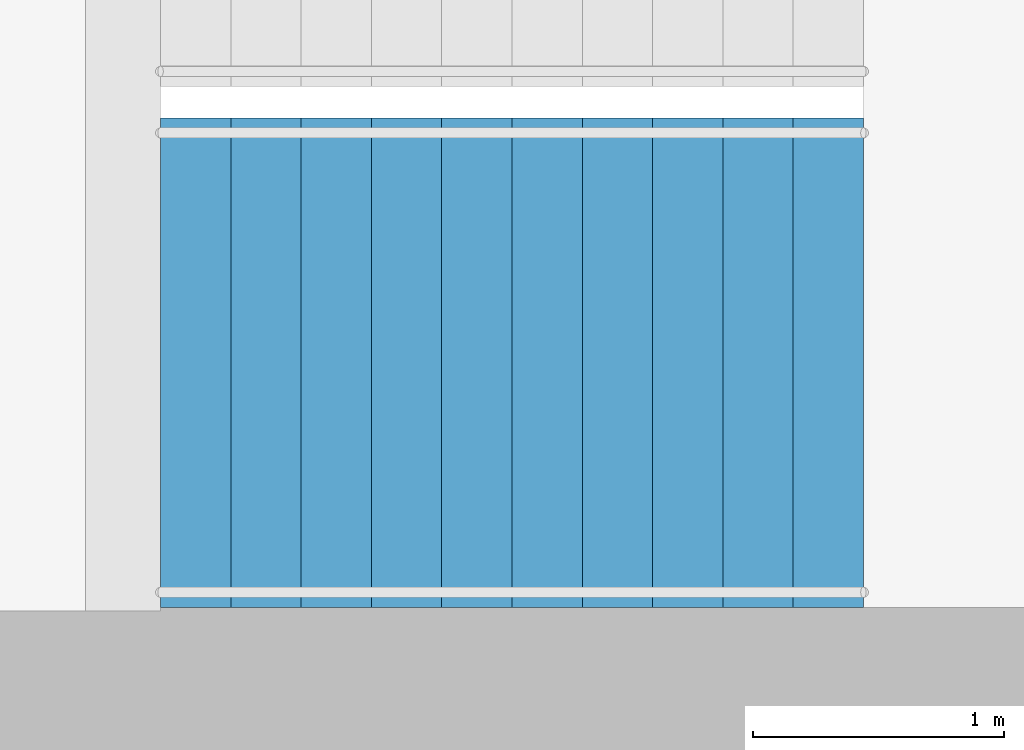
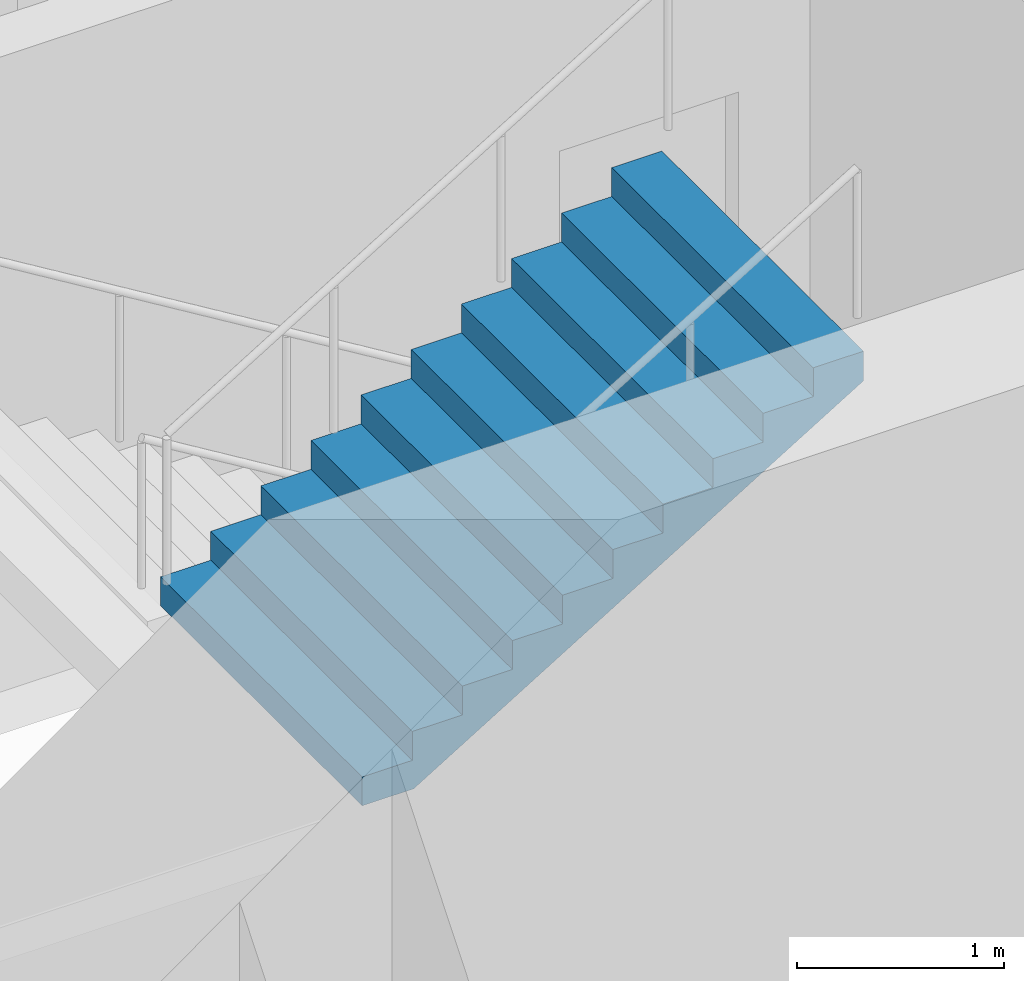
# One storey, part 20 of 22: 1 stair flight, 1 element without a shape of its own.
"""IFC4 building model written with IfcOpenShell, lengths in metres."""

from ifc_helpers import new_model, si_unit, direction, frame, origin, place, context, subcontext, project, spatial, triangles, material, type_object, element, aggregate, save


model = new_model("IFC4")

# Units and contexts
model_context = context("Model", 3, precision=1e-05, world=origin(), true_north=direction((0.0, 1.0)))
body_context = subcontext(model_context, "Body", "Model", "MODEL_VIEW")
ifc_project = project(units=[si_unit("LENGTHUNIT", "METRE"), si_unit("AREAUNIT", "SQUARE_METRE"), si_unit("VOLUMEUNIT", "CUBIC_METRE"), si_unit("PLANEANGLEUNIT", "RADIAN"), si_unit("MASSUNIT", "GRAM", prefix="KILO")], contexts=[model_context])

# Site, building, storey
site_placement = place(None, origin())
site = spatial("IfcSite", under=ifc_project, at=site_placement, CompositionType="ELEMENT")
building_placement = place(site_placement, origin())
building = spatial("IfcBuilding", under=site, at=building_placement, Name="Orbita Commons", CompositionType="ELEMENT")
storey_placement = place(building_placement, frame((0.0, 0.0, 197.35009765625)))
storey = spatial("IfcBuildingStorey", under=building, at=storey_placement, Name="L49", CompositionType="ELEMENT", Elevation=197.35009765625)

# Stair, stair flight
ifc_material_1 = material(Name="Precast concrete C40/50", Category="concrete")
stair_type = type_object("IfcStairType", Name="Exit stair S2 2 flights 11 risers 170", PredefinedType="HALF_TURN_STAIR", material=ifc_material_1)
stair_placement = place(storey_placement, origin())
stair = element("IfcStair", 1, at=stair_placement, inside=storey, type_object=stair_type, Name="Exit stair S2 L49", PredefinedType="HALF_TURN_STAIR")
ifc_material_2 = material(Name="Precast concrete C40/50", Category="concrete")
stair_flight_type = type_object("IfcStairFlightType", Name="Stair flight 11 risers 170 x 280", PredefinedType="STRAIGHT", material=ifc_material_2)
stair_flight_placement = place(storey_placement, frame((60.75, 27.199951171875, 1.875), z_axis=(0.0, 0.0, 1.0), x_axis=(1.0, 0.0, 0.0)))
stair_flight = element("IfcStairFlight", 2, at=stair_flight_placement, type_object=stair_flight_type, Name="S2 flight 2", NumberOfRisers=11, NumberOfTreads=10, PredefinedType="STRAIGHT", RiserHeight=0.170454545, TreadLength=0.28, context=body_context, shape_type="Tessellation", body=[
    triangles([(0.0, 0.974976, 0.0), (0.0, 0.974976, 0.021307), (0.0, 0.81248, 0.021307), (0.0, 0.81248, 0.0), (0.0, 0.649984, 0.021307), (0.0, 0.649984, 0.0), (0.0, 0.487488, 0.021307), (0.0, 0.487488, 0.0), (0.0, 0.324992, 0.021307), (0.0, 0.324992, 0.0), (0.0, 0.162496, 0.021307), (0.0, 0.162496, 0.0), (0.0, 0.0, 0.021307), (0.0, 0.0, 0.0), (0.0, -0.162496, 0.021307), (0.0, -0.162496, 0.0), (0.0, -0.324992, 0.021307), (0.0, -0.324992, 0.0), (0.0, -0.487488, 0.021307), (0.0, -0.487488, 0.0), (0.0, -0.649984, 0.021307), (0.0, -0.649984, 0.0), (0.0, -0.81248, 0.021307), (0.0, -0.81248, 0.0), (0.0, -0.974976, 0.021307), (0.0, -0.974976, 0.0), (0.0, 0.974976, 0.042614), (0.0, 0.81248, 0.042614), (0.0, 0.649984, 0.042614), (0.0, 0.487488, 0.042614), (0.0, 0.324992, 0.042614), (0.0, 0.162496, 0.042614), (0.0, 0.0, 0.042614), (0.0, -0.162496, 0.042614), (0.0, -0.324992, 0.042614), (0.0, -0.487488, 0.042614), (0.0, -0.649984, 0.042614), (0.0, -0.81248, 0.042614), (0.0, -0.974976, 0.042614), (0.0, 0.974976, 0.06392), (0.0, 0.81248, 0.06392), (0.0, 0.649984, 0.06392), (0.0, 0.487488, 0.06392), (0.0, 0.324992, 0.06392), (0.0, 0.162496, 0.06392), (0.0, 0.0, 0.06392), (0.0, -0.162496, 0.06392), (0.0, -0.324992, 0.06392), (0.0, -0.487488, 0.06392), (0.0, -0.649984, 0.06392), (0.0, -0.81248, 0.06392), (0.0, -0.974976, 0.06392), (0.0, 0.974976, 0.085227), (0.0, 0.81248, 0.085227), (0.0, 0.649984, 0.085227), (0.0, 0.487488, 0.085227), (0.0, 0.324992, 0.085227), (0.0, 0.162496, 0.085227), (0.0, 0.0, 0.085227), (0.0, -0.162496, 0.085227), (0.0, -0.324992, 0.085227), (0.0, -0.487488, 0.085227), (0.0, -0.649984, 0.085227), (0.0, -0.81248, 0.085227), (0.0, -0.974976, 0.085227), (0.0, 0.974976, 0.106534), (0.0, 0.81248, 0.106534), (0.0, 0.649984, 0.106534), (0.0, 0.487488, 0.106534), (0.0, 0.324992, 0.106534), (0.0, 0.162496, 0.106534), (0.0, 0.0, 0.106534), (0.0, -0.162496, 0.106534), (0.0, -0.324992, 0.106534), (0.0, -0.487488, 0.106534), (0.0, -0.649984, 0.106534), (0.0, -0.81248, 0.106534), (0.0, -0.974976, 0.106534), (0.0, 0.974976, 0.127841), (0.0, 0.81248, 0.127841), (0.0, 0.649984, 0.127841), (0.0, 0.487488, 0.127841), (0.0, 0.324992, 0.127841), (0.0, 0.162496, 0.127841), (0.0, 0.0, 0.127841), (0.0, -0.162496, 0.127841), (0.0, -0.324992, 0.127841), (0.0, -0.487488, 0.127841), (0.0, -0.649984, 0.127841), (0.0, -0.81248, 0.127841), (0.0, -0.974976, 0.127841), (0.0, 0.974976, 0.149148), (0.0, 0.81248, 0.149148), (0.0, 0.649984, 0.149148), (0.0, 0.487488, 0.149148), (0.0, 0.324992, 0.149148), (0.0, 0.162496, 0.149148), (0.0, 0.0, 0.149148), (0.0, -0.162496, 0.149148), (0.0, -0.324992, 0.149148), (0.0, -0.487488, 0.149148), (0.0, -0.649984, 0.149148), (0.0, -0.81248, 0.149148), (0.0, -0.974976, 0.149148), (0.0, 0.974976, 0.170455), (0.0, 0.81248, 0.170455), (0.0, 0.649984, 0.170455), (0.0, 0.487488, 0.170455), (0.0, 0.324992, 0.170455), (0.0, 0.162496, 0.170455), (0.0, 0.0, 0.170455), (0.0, -0.162496, 0.170455), (0.0, -0.324992, 0.170455), (0.0, -0.487488, 0.170455), (0.0, -0.649984, 0.170455), (0.0, -0.81248, 0.170455), (0.0, -0.974976, 0.170455), (0.28, 0.974976, 0.170455), (0.28, 0.81248, 0.170455), (0.28, 0.649984, 0.170455), (0.28, 0.487488, 0.170455), (0.28, 0.324992, 0.170455), (0.28, 0.162496, 0.170455), (0.28, 0.0, 0.170455), (0.28, -0.162496, 0.170455), (0.28, -0.324992, 0.170455), (0.28, -0.487488, 0.170455), (0.28, -0.649984, 0.170455), (0.28, -0.81248, 0.170455), (0.28, -0.974976, 0.170455), (0.28, 0.974976, 0.340909), (0.28, 0.81248, 0.340909), (0.28, 0.649984, 0.340909), (0.28, 0.487488, 0.340909), (0.28, 0.324992, 0.340909), (0.28, 0.162496, 0.340909), (0.28, 0.0, 0.340909), (0.28, -0.162496, 0.340909), (0.28, -0.324992, 0.340909), (0.28, -0.487488, 0.340909), (0.28, -0.649984, 0.340909), (0.28, -0.81248, 0.340909), (0.28, -0.974976, 0.340909), (0.56, 0.974976, 0.340909), (0.56, 0.81248, 0.340909), (0.56, 0.649984, 0.340909), (0.56, 0.487488, 0.340909), (0.56, 0.324992, 0.340909), (0.56, 0.162496, 0.340909), (0.56, 0.0, 0.340909), (0.56, -0.162496, 0.340909), (0.56, -0.324992, 0.340909), (0.56, -0.487488, 0.340909), (0.56, -0.649984, 0.340909), (0.56, -0.81248, 0.340909), (0.56, -0.974976, 0.340909), (0.56, 0.974976, 0.511364), (0.56, 0.81248, 0.511364), (0.56, 0.649984, 0.511364), (0.56, 0.487488, 0.511364), (0.56, 0.324992, 0.511364), (0.56, 0.162496, 0.511364), (0.56, 0.0, 0.511364), (0.56, -0.162496, 0.511364), (0.56, -0.324992, 0.511364), (0.56, -0.487488, 0.511364), (0.56, -0.649984, 0.511364), (0.56, -0.81248, 0.511364), (0.56, -0.974976, 0.511364), (0.84, 0.974976, 0.511364), (0.84, 0.81248, 0.511364), (0.84, 0.649984, 0.511364), (0.84, 0.487488, 0.511364), (0.84, 0.324992, 0.511364), (0.84, 0.162496, 0.511364), (0.84, 0.0, 0.511364), (0.84, -0.162496, 0.511364), (0.84, -0.324992, 0.511364), (0.84, -0.487488, 0.511364), (0.84, -0.649984, 0.511364), (0.84, -0.81248, 0.511364), (0.84, -0.974976, 0.511364), (0.84, 0.974976, 0.681818), (0.84, 0.81248, 0.681818), (0.84, 0.649984, 0.681818), (0.84, 0.487488, 0.681818), (0.84, 0.324992, 0.681818), (0.84, 0.162496, 0.681818), (0.84, 0.0, 0.681818), (0.84, -0.162496, 0.681818), (0.84, -0.324992, 0.681818), (0.84, -0.487488, 0.681818), (0.84, -0.649984, 0.681818), (0.84, -0.81248, 0.681818), (0.84, -0.974976, 0.681818), (1.12, 0.974976, 0.681818), (1.12, 0.81248, 0.681818), (1.12, 0.649984, 0.681818), (1.12, 0.487488, 0.681818), (1.12, 0.324992, 0.681818), (1.12, 0.162496, 0.681818), (1.12, 0.0, 0.681818), (1.12, -0.162496, 0.681818), (1.12, -0.324992, 0.681818), (1.12, -0.487488, 0.681818), (1.12, -0.649984, 0.681818), (1.12, -0.81248, 0.681818), (1.12, -0.974976, 0.681818), (1.12, 0.974976, 0.852273), (1.12, 0.81248, 0.852273), (1.12, 0.649984, 0.852273), (1.12, 0.487488, 0.852273), (1.12, 0.324992, 0.852273), (1.12, 0.162496, 0.852273), (1.12, 0.0, 0.852273), (1.12, -0.162496, 0.852273), (1.12, -0.324992, 0.852273), (1.12, -0.487488, 0.852273), (1.12, -0.649984, 0.852273), (1.12, -0.81248, 0.852273), (1.12, -0.974976, 0.852273), (1.4, 0.974976, 0.852273), (1.4, 0.81248, 0.852273), (1.4, 0.649984, 0.852273), (1.4, 0.487488, 0.852273), (1.4, 0.324992, 0.852273), (1.4, 0.162496, 0.852273), (1.4, 0.0, 0.852273), (1.4, -0.162496, 0.852273), (1.4, -0.324992, 0.852273), (1.4, -0.487488, 0.852273), (1.4, -0.649984, 0.852273), (1.4, -0.81248, 0.852273), (1.4, -0.974976, 0.852273), (1.4, 0.974976, 1.022727), (1.4, 0.81248, 1.022727), (1.4, 0.649984, 1.022727), (1.4, 0.487488, 1.022727), (1.4, 0.324992, 1.022727), (1.4, 0.162496, 1.022727), (1.4, 0.0, 1.022727), (1.4, -0.162496, 1.022727), (1.4, -0.324992, 1.022727), (1.4, -0.487488, 1.022727), (1.4, -0.649984, 1.022727), (1.4, -0.81248, 1.022727), (1.4, -0.974976, 1.022727), (1.68, 0.974976, 1.022727), (1.68, 0.81248, 1.022727), (1.68, 0.649984, 1.022727), (1.68, 0.487488, 1.022727), (1.68, 0.324992, 1.022727), (1.68, 0.162496, 1.022727), (1.68, 0.0, 1.022727), (1.68, -0.162496, 1.022727), (1.68, -0.324992, 1.022727), (1.68, -0.487488, 1.022727), (1.68, -0.649984, 1.022727), (1.68, -0.81248, 1.022727), (1.68, -0.974976, 1.022727), (1.68, 0.974976, 1.193182), (1.68, 0.81248, 1.193182), (1.68, 0.649984, 1.193182), (1.68, 0.487488, 1.193182), (1.68, 0.324992, 1.193182), (1.68, 0.162496, 1.193182), (1.68, 0.0, 1.193182), (1.68, -0.162496, 1.193182), (1.68, -0.324992, 1.193182), (1.68, -0.487488, 1.193182), (1.68, -0.649984, 1.193182), (1.68, -0.81248, 1.193182), (1.68, -0.974976, 1.193182), (1.96, 0.974976, 1.193182), (1.96, 0.81248, 1.193182), (1.96, 0.649984, 1.193182), (1.96, 0.487488, 1.193182), (1.96, 0.324992, 1.193182), (1.96, 0.162496, 1.193182), (1.96, 0.0, 1.193182), (1.96, -0.162496, 1.193182), (1.96, -0.324992, 1.193182), (1.96, -0.487488, 1.193182), (1.96, -0.649984, 1.193182), (1.96, -0.81248, 1.193182), (1.96, -0.974976, 1.193182), (1.96, 0.974976, 1.363636), (1.96, 0.81248, 1.363636), (1.96, 0.649984, 1.363636), (1.96, 0.487488, 1.363636), (1.96, 0.324992, 1.363636), (1.96, 0.162496, 1.363636), (1.96, 0.0, 1.363636), (1.96, -0.162496, 1.363636), (1.96, -0.324992, 1.363636), (1.96, -0.487488, 1.363636), (1.96, -0.649984, 1.363636), (1.96, -0.81248, 1.363636), (1.96, -0.974976, 1.363636), (2.24, 0.974976, 1.363636), (2.24, 0.81248, 1.363636), (2.24, 0.649984, 1.363636), (2.24, 0.487488, 1.363636), (2.24, 0.324992, 1.363636), (2.24, 0.162496, 1.363636), (2.24, 0.0, 1.363636), (2.24, -0.162496, 1.363636), (2.24, -0.324992, 1.363636), (2.24, -0.487488, 1.363636), (2.24, -0.649984, 1.363636), (2.24, -0.81248, 1.363636), (2.24, -0.974976, 1.363636), (2.24, 0.974976, 1.534091), (2.24, 0.81248, 1.534091), (2.24, 0.649984, 1.534091), (2.24, 0.487488, 1.534091), (2.24, 0.324992, 1.534091), (2.24, 0.162496, 1.534091), (2.24, 0.0, 1.534091), (2.24, -0.162496, 1.534091), (2.24, -0.324992, 1.534091), (2.24, -0.487488, 1.534091), (2.24, -0.649984, 1.534091), (2.24, -0.81248, 1.534091), (2.24, -0.974976, 1.534091), (2.52, 0.974976, 1.534091), (2.52, 0.81248, 1.534091), (2.52, 0.649984, 1.534091), (2.52, 0.487488, 1.534091), (2.52, 0.324992, 1.534091), (2.52, 0.162496, 1.534091), (2.52, 0.0, 1.534091), (2.52, -0.162496, 1.534091), (2.52, -0.324992, 1.534091), (2.52, -0.487488, 1.534091), (2.52, -0.649984, 1.534091), (2.52, -0.81248, 1.534091), (2.52, -0.974976, 1.534091), (2.52, 0.974976, 1.704545), (2.52, 0.81248, 1.704545), (2.52, 0.649984, 1.704545), (2.52, 0.487488, 1.704545), (2.52, 0.324992, 1.704545), (2.52, 0.162496, 1.704545), (2.52, 0.0, 1.704545), (2.52, -0.162496, 1.704545), (2.52, -0.324992, 1.704545), (2.52, -0.487488, 1.704545), (2.52, -0.649984, 1.704545), (2.52, -0.81248, 1.704545), (2.52, -0.974976, 1.704545), (2.8, 0.974976, 1.704545), (2.8, 0.81248, 1.704545), (2.8, 0.649984, 1.704545), (2.8, 0.487488, 1.704545), (2.8, 0.324992, 1.704545), (2.8, 0.162496, 1.704545), (2.8, 0.0, 1.704545), (2.8, -0.162496, 1.704545), (2.8, -0.324992, 1.704545), (2.8, -0.487488, 1.704545), (2.8, -0.649984, 1.704545), (2.8, -0.81248, 1.704545), (2.8, -0.974976, 1.704545), (2.8, 0.974976, 1.682609), (2.8, 0.81248, 1.682609), (2.8, 0.649984, 1.682609), (2.8, 0.487488, 1.682609), (2.8, 0.324992, 1.682609), (2.8, 0.162496, 1.682609), (2.8, 0.0, 1.682609), (2.8, -0.162496, 1.682609), (2.8, -0.324992, 1.682609), (2.8, -0.487488, 1.682609), (2.8, -0.649984, 1.682609), (2.8, -0.81248, 1.682609), (2.8, -0.974976, 1.682609), (2.8, 0.974976, 1.660672), (2.8, 0.81248, 1.660672), (2.8, 0.649984, 1.660672), (2.8, 0.487488, 1.660672), (2.8, 0.324992, 1.660672), (2.8, 0.162496, 1.660672), (2.8, 0.0, 1.660672), (2.8, -0.162496, 1.660672), (2.8, -0.324992, 1.660672), (2.8, -0.487488, 1.660672), (2.8, -0.649984, 1.660672), (2.8, -0.81248, 1.660672), (2.8, -0.974976, 1.660672), (2.8, 0.974976, 1.638735), (2.8, 0.81248, 1.638735), (2.8, 0.649984, 1.638735), (2.8, 0.487488, 1.638735), (2.8, 0.324992, 1.638735), (2.8, 0.162496, 1.638735), (2.8, 0.0, 1.638735), (2.8, -0.162496, 1.638735), (2.8, -0.324992, 1.638735), (2.8, -0.487488, 1.638735), (2.8, -0.649984, 1.638735), (2.8, -0.81248, 1.638735), (2.8, -0.974976, 1.638735), (2.8, 0.974976, 1.616798), (2.8, 0.81248, 1.616798), (2.8, 0.649984, 1.616798), (2.8, 0.487488, 1.616798), (2.8, 0.324992, 1.616798), (2.8, 0.162496, 1.616798), (2.8, 0.0, 1.616798), (2.8, -0.162496, 1.616798), (2.8, -0.324992, 1.616798), (2.8, -0.487488, 1.616798), (2.8, -0.649984, 1.616798), (2.8, -0.81248, 1.616798), (2.8, -0.974976, 1.616798), (2.8, 0.974976, 1.594861), (2.8, 0.81248, 1.594861), (2.8, 0.649984, 1.594861), (2.8, 0.487488, 1.594861), (2.8, 0.324992, 1.594861), (2.8, 0.162496, 1.594861), (2.8, 0.0, 1.594861), (2.8, -0.162496, 1.594861), (2.8, -0.324992, 1.594861), (2.8, -0.487488, 1.594861), (2.8, -0.649984, 1.594861), (2.8, -0.81248, 1.594861), (2.8, -0.974976, 1.594861), (2.8, 0.974976, 1.572925), (2.8, 0.81248, 1.572925), (2.8, 0.649984, 1.572925), (2.8, 0.487488, 1.572925), (2.8, 0.324992, 1.572925), (2.8, 0.162496, 1.572925), (2.8, 0.0, 1.572925), (2.8, -0.162496, 1.572925), (2.8, -0.324992, 1.572925), (2.8, -0.487488, 1.572925), (2.8, -0.649984, 1.572925), (2.8, -0.81248, 1.572925), (2.8, -0.974976, 1.572925), (2.8, 0.974976, 1.550988), (2.8, 0.81248, 1.550988), (2.8, 0.649984, 1.550988), (2.8, 0.487488, 1.550988), (2.8, 0.324992, 1.550988), (2.8, 0.162496, 1.550988), (2.8, 0.0, 1.550988), (2.8, -0.162496, 1.550988), (2.8, -0.324992, 1.550988), (2.8, -0.487488, 1.550988), (2.8, -0.649984, 1.550988), (2.8, -0.81248, 1.550988), (2.8, -0.974976, 1.550988), (2.8, 0.974976, 1.529051), (2.8, 0.81248, 1.529051), (2.8, 0.649984, 1.529051), (2.8, 0.487488, 1.529051), (2.8, 0.324992, 1.529051), (2.8, 0.162496, 1.529051), (2.8, 0.0, 1.529051), (2.8, -0.162496, 1.529051), (2.8, -0.324992, 1.529051), (2.8, -0.487488, 1.529051), (2.8, -0.649984, 1.529051), (2.8, -0.81248, 1.529051), (2.8, -0.974976, 1.529051), (0.288279, 0.974976, 0.0), (0.288279, 0.81248, 0.0), (0.288279, 0.649984, 0.0), (0.288279, 0.487488, 0.0), (0.288279, 0.324992, 0.0), (0.288279, 0.162496, 0.0), (0.288279, 0.0, 0.0), (0.288279, -0.162496, 0.0), (0.288279, -0.324992, 0.0), (0.288279, -0.487488, 0.0), (0.288279, -0.649984, 0.0), (0.288279, -0.81248, 0.0), (0.288279, -0.974976, 0.0)], [[3, 2, 1], [4, 3, 1], [5, 3, 4], [6, 5, 4], [7, 5, 6], [8, 7, 6], [9, 7, 8], [10, 9, 8], [11, 9, 10], [12, 11, 10], [13, 11, 12], [14, 13, 12], [15, 13, 14], [16, 15, 14], [17, 15, 16], [18, 17, 16], [19, 17, 18], [20, 19, 18], [21, 19, 20], [22, 21, 20], [23, 21, 22], [24, 23, 22], [25, 23, 24], [26, 25, 24], [28, 27, 2], [3, 28, 2], [29, 28, 3], [5, 29, 3], [30, 29, 5], [7, 30, 5], [31, 30, 7], [9, 31, 7], [32, 31, 9], [11, 32, 9], [33, 32, 11], [13, 33, 11], [34, 33, 13], [15, 34, 13], [35, 34, 15], [17, 35, 15], [36, 35, 17], [19, 36, 17], [37, 36, 19], [21, 37, 19], [38, 37, 21], [23, 38, 21], [39, 38, 23], [25, 39, 23], [41, 40, 27], [28, 41, 27], [42, 41, 28], [29, 42, 28], [43, 42, 29], [30, 43, 29], [44, 43, 30], [31, 44, 30], [45, 44, 31], [32, 45, 31], [46, 45, 32], [33, 46, 32], [47, 46, 33], [34, 47, 33], [48, 47, 34], [35, 48, 34], [49, 48, 35], [36, 49, 35], [50, 49, 36], [37, 50, 36], [51, 50, 37], [38, 51, 37], [52, 51, 38], [39, 52, 38], [54, 53, 40], [41, 54, 40], [55, 54, 41], [42, 55, 41], [56, 55, 42], [43, 56, 42], [57, 56, 43], [44, 57, 43], [58, 57, 44], [45, 58, 44], [59, 58, 45], [46, 59, 45], [60, 59, 46], [47, 60, 46], [61, 60, 47], [48, 61, 47], [62, 61, 48], [49, 62, 48], [63, 62, 49], [50, 63, 49], [64, 63, 50], [51, 64, 50], [65, 64, 51], [52, 65, 51], [67, 66, 53], [54, 67, 53], [68, 67, 54], [55, 68, 54], [69, 68, 55], [56, 69, 55], [70, 69, 56], [57, 70, 56], [71, 70, 57], [58, 71, 57], [72, 71, 58], [59, 72, 58], [73, 72, 59], [60, 73, 59], [74, 73, 60], [61, 74, 60], [75, 74, 61], [62, 75, 61], [76, 75, 62], [63, 76, 62], [77, 76, 63], [64, 77, 63], [78, 77, 64], [65, 78, 64], [80, 79, 66], [67, 80, 66], [81, 80, 67], [68, 81, 67], [82, 81, 68], [69, 82, 68], [83, 82, 69], [70, 83, 69], [84, 83, 70], [71, 84, 70], [85, 84, 71], [72, 85, 71], [86, 85, 72], [73, 86, 72], [87, 86, 73], [74, 87, 73], [88, 87, 74], [75, 88, 74], [89, 88, 75], [76, 89, 75], [90, 89, 76], [77, 90, 76], [91, 90, 77], [78, 91, 77], [93, 92, 79], [80, 93, 79], [94, 93, 80], [81, 94, 80], [95, 94, 81], [82, 95, 81], [96, 95, 82], [83, 96, 82], [97, 96, 83], [84, 97, 83], [98, 97, 84], [85, 98, 84], [99, 98, 85], [86, 99, 85], [100, 99, 86], [87, 100, 86], [101, 100, 87], [88, 101, 87], [102, 101, 88], [89, 102, 88], [103, 102, 89], [90, 103, 89], [104, 103, 90], [91, 104, 90], [106, 105, 92], [93, 106, 92], [107, 106, 93], [94, 107, 93], [108, 107, 94], [95, 108, 94], [109, 108, 95], [96, 109, 95], [110, 109, 96], [97, 110, 96], [111, 110, 97], [98, 111, 97], [112, 111, 98], [99, 112, 98], [113, 112, 99], [100, 113, 99], [114, 113, 100], [101, 114, 100], [115, 114, 101], [102, 115, 101], [116, 115, 102], [103, 116, 102], [117, 116, 103], [104, 117, 103], [119, 118, 105], [106, 119, 105], [120, 119, 106], [107, 120, 106], [121, 120, 107], [108, 121, 107], [122, 121, 108], [109, 122, 108], [123, 122, 109], [110, 123, 109], [124, 123, 110], [111, 124, 110], [125, 124, 111], [112, 125, 111], [126, 125, 112], [113, 126, 112], [127, 126, 113], [114, 127, 113], [128, 127, 114], [115, 128, 114], [129, 128, 115], [116, 129, 115], [130, 129, 116], [117, 130, 116], [132, 131, 118], [119, 132, 118], [133, 132, 119], [120, 133, 119], [134, 133, 120], [121, 134, 120], [135, 134, 121], [122, 135, 121], [136, 135, 122], [123, 136, 122], [137, 136, 123], [124, 137, 123], [138, 137, 124], [125, 138, 124], [139, 138, 125], [126, 139, 125], [140, 139, 126], [127, 140, 126], [141, 140, 127], [128, 141, 127], [142, 141, 128], [129, 142, 128], [143, 142, 129], [130, 143, 129], [145, 144, 131], [132, 145, 131], [146, 145, 132], [133, 146, 132], [147, 146, 133], [134, 147, 133], [148, 147, 134], [135, 148, 134], [149, 148, 135], [136, 149, 135], [150, 149, 136], [137, 150, 136], [151, 150, 137], [138, 151, 137], [152, 151, 138], [139, 152, 138], [153, 152, 139], [140, 153, 139], [154, 153, 140], [141, 154, 140], [155, 154, 141], [142, 155, 141], [156, 155, 142], [143, 156, 142], [158, 157, 144], [145, 158, 144], [159, 158, 145], [146, 159, 145], [160, 159, 146], [147, 160, 146], [161, 160, 147], [148, 161, 147], [162, 161, 148], [149, 162, 148], [163, 162, 149], [150, 163, 149], [164, 163, 150], [151, 164, 150], [165, 164, 151], [152, 165, 151], [166, 165, 152], [153, 166, 152], [167, 166, 153], [154, 167, 153], [168, 167, 154], [155, 168, 154], [169, 168, 155], [156, 169, 155], [171, 170, 157], [158, 171, 157], [172, 171, 158], [159, 172, 158], [173, 172, 159], [160, 173, 159], [174, 173, 160], [161, 174, 160], [175, 174, 161], [162, 175, 161], [176, 175, 162], [163, 176, 162], [177, 176, 163], [164, 177, 163], [178, 177, 164], [165, 178, 164], [179, 178, 165], [166, 179, 165], [180, 179, 166], [167, 180, 166], [181, 180, 167], [168, 181, 167], [182, 181, 168], [169, 182, 168], [184, 183, 170], [171, 184, 170], [185, 184, 171], [172, 185, 171], [186, 185, 172], [173, 186, 172], [187, 186, 173], [174, 187, 173], [188, 187, 174], [175, 188, 174], [189, 188, 175], [176, 189, 175], [190, 189, 176], [177, 190, 176], [191, 190, 177], [178, 191, 177], [192, 191, 178], [179, 192, 178], [193, 192, 179], [180, 193, 179], [194, 193, 180], [181, 194, 180], [195, 194, 181], [182, 195, 181], [197, 196, 183], [184, 197, 183], [198, 197, 184], [185, 198, 184], [199, 198, 185], [186, 199, 185], [200, 199, 186], [187, 200, 186], [201, 200, 187], [188, 201, 187], [202, 201, 188], [189, 202, 188], [203, 202, 189], [190, 203, 189], [204, 203, 190], [191, 204, 190], [205, 204, 191], [192, 205, 191], [206, 205, 192], [193, 206, 192], [207, 206, 193], [194, 207, 193], [208, 207, 194], [195, 208, 194], [210, 209, 196], [197, 210, 196], [211, 210, 197], [198, 211, 197], [212, 211, 198], [199, 212, 198], [213, 212, 199], [200, 213, 199], [214, 213, 200], [201, 214, 200], [215, 214, 201], [202, 215, 201], [216, 215, 202], [203, 216, 202], [217, 216, 203], [204, 217, 203], [218, 217, 204], [205, 218, 204], [219, 218, 205], [206, 219, 205], [220, 219, 206], [207, 220, 206], [221, 220, 207], [208, 221, 207], [223, 222, 209], [210, 223, 209], [224, 223, 210], [211, 224, 210], [225, 224, 211], [212, 225, 211], [226, 225, 212], [213, 226, 212], [227, 226, 213], [214, 227, 213], [228, 227, 214], [215, 228, 214], [229, 228, 215], [216, 229, 215], [230, 229, 216], [217, 230, 216], [231, 230, 217], [218, 231, 217], [232, 231, 218], [219, 232, 218], [233, 232, 219], [220, 233, 219], [234, 233, 220], [221, 234, 220], [236, 235, 222], [223, 236, 222], [237, 236, 223], [224, 237, 223], [238, 237, 224], [225, 238, 224], [239, 238, 225], [226, 239, 225], [240, 239, 226], [227, 240, 226], [241, 240, 227], [228, 241, 227], [242, 241, 228], [229, 242, 228], [243, 242, 229], [230, 243, 229], [244, 243, 230], [231, 244, 230], [245, 244, 231], [232, 245, 231], [246, 245, 232], [233, 246, 232], [247, 246, 233], [234, 247, 233], [249, 248, 235], [236, 249, 235], [250, 249, 236], [237, 250, 236], [251, 250, 237], [238, 251, 237], [252, 251, 238], [239, 252, 238], [253, 252, 239], [240, 253, 239], [254, 253, 240], [241, 254, 240], [255, 254, 241], [242, 255, 241], [256, 255, 242], [243, 256, 242], [257, 256, 243], [244, 257, 243], [258, 257, 244], [245, 258, 244], [259, 258, 245], [246, 259, 245], [260, 259, 246], [247, 260, 246], [262, 261, 248], [249, 262, 248], [263, 262, 249], [250, 263, 249], [264, 263, 250], [251, 264, 250], [265, 264, 251], [252, 265, 251], [266, 265, 252], [253, 266, 252], [267, 266, 253], [254, 267, 253], [268, 267, 254], [255, 268, 254], [269, 268, 255], [256, 269, 255], [270, 269, 256], [257, 270, 256], [271, 270, 257], [258, 271, 257], [272, 271, 258], [259, 272, 258], [273, 272, 259], [260, 273, 259], [275, 274, 261], [262, 275, 261], [276, 275, 262], [263, 276, 262], [277, 276, 263], [264, 277, 263], [278, 277, 264], [265, 278, 264], [279, 278, 265], [266, 279, 265], [280, 279, 266], [267, 280, 266], [281, 280, 267], [268, 281, 267], [282, 281, 268], [269, 282, 268], [283, 282, 269], [270, 283, 269], [284, 283, 270], [271, 284, 270], [285, 284, 271], [272, 285, 271], [286, 285, 272], [273, 286, 272], [288, 287, 274], [275, 288, 274], [289, 288, 275], [276, 289, 275], [290, 289, 276], [277, 290, 276], [291, 290, 277], [278, 291, 277], [292, 291, 278], [279, 292, 278], [293, 292, 279], [280, 293, 279], [294, 293, 280], [281, 294, 280], [295, 294, 281], [282, 295, 281], [296, 295, 282], [283, 296, 282], [297, 296, 283], [284, 297, 283], [298, 297, 284], [285, 298, 284], [299, 298, 285], [286, 299, 285], [301, 300, 287], [288, 301, 287], [302, 301, 288], [289, 302, 288], [303, 302, 289], [290, 303, 289], [304, 303, 290], [291, 304, 290], [305, 304, 291], [292, 305, 291], [306, 305, 292], [293, 306, 292], [307, 306, 293], [294, 307, 293], [308, 307, 294], [295, 308, 294], [309, 308, 295], [296, 309, 295], [310, 309, 296], [297, 310, 296], [311, 310, 297], [298, 311, 297], [312, 311, 298], [299, 312, 298], [314, 313, 300], [301, 314, 300], [315, 314, 301], [302, 315, 301], [316, 315, 302], [303, 316, 302], [317, 316, 303], [304, 317, 303], [318, 317, 304], [305, 318, 304], [319, 318, 305], [306, 319, 305], [320, 319, 306], [307, 320, 306], [321, 320, 307], [308, 321, 307], [322, 321, 308], [309, 322, 308], [323, 322, 309], [310, 323, 309], [324, 323, 310], [311, 324, 310], [325, 324, 311], [312, 325, 311], [327, 326, 313], [314, 327, 313], [328, 327, 314], [315, 328, 314], [329, 328, 315], [316, 329, 315], [330, 329, 316], [317, 330, 316], [331, 330, 317], [318, 331, 317], [332, 331, 318], [319, 332, 318], [333, 332, 319], [320, 333, 319], [334, 333, 320], [321, 334, 320], [335, 334, 321], [322, 335, 321], [336, 335, 322], [323, 336, 322], [337, 336, 323], [324, 337, 323], [338, 337, 324], [325, 338, 324], [340, 339, 326], [327, 340, 326], [341, 340, 327], [328, 341, 327], [342, 341, 328], [329, 342, 328], [343, 342, 329], [330, 343, 329], [344, 343, 330], [331, 344, 330], [345, 344, 331], [332, 345, 331], [346, 345, 332], [333, 346, 332], [347, 346, 333], [334, 347, 333], [348, 347, 334], [335, 348, 334], [349, 348, 335], [336, 349, 335], [350, 349, 336], [337, 350, 336], [351, 350, 337], [338, 351, 337], [353, 352, 339], [340, 353, 339], [354, 353, 340], [341, 354, 340], [355, 354, 341], [342, 355, 341], [356, 355, 342], [343, 356, 342], [357, 356, 343], [344, 357, 343], [358, 357, 344], [345, 358, 344], [359, 358, 345], [346, 359, 345], [360, 359, 346], [347, 360, 346], [361, 360, 347], [348, 361, 347], [362, 361, 348], [349, 362, 348], [363, 362, 349], [350, 363, 349], [364, 363, 350], [351, 364, 350], [366, 365, 352], [353, 366, 352], [367, 366, 353], [354, 367, 353], [368, 367, 354], [355, 368, 354], [369, 368, 355], [356, 369, 355], [370, 369, 356], [357, 370, 356], [371, 370, 357], [358, 371, 357], [372, 371, 358], [359, 372, 358], [373, 372, 359], [360, 373, 359], [374, 373, 360], [361, 374, 360], [375, 374, 361], [362, 375, 361], [376, 375, 362], [363, 376, 362], [377, 376, 363], [364, 377, 363], [379, 378, 365], [366, 379, 365], [380, 379, 366], [367, 380, 366], [381, 380, 367], [368, 381, 367], [382, 381, 368], [369, 382, 368], [383, 382, 369], [370, 383, 369], [384, 383, 370], [371, 384, 370], [385, 384, 371], [372, 385, 371], [386, 385, 372], [373, 386, 372], [387, 386, 373], [374, 387, 373], [388, 387, 374], [375, 388, 374], [389, 388, 375], [376, 389, 375], [390, 389, 376], [377, 390, 376], [392, 391, 378], [379, 392, 378], [393, 392, 379], [380, 393, 379], [394, 393, 380], [381, 394, 380], [395, 394, 381], [382, 395, 381], [396, 395, 382], [383, 396, 382], [397, 396, 383], [384, 397, 383], [398, 397, 384], [385, 398, 384], [399, 398, 385], [386, 399, 385], [400, 399, 386], [387, 400, 386], [401, 400, 387], [388, 401, 387], [402, 401, 388], [389, 402, 388], [403, 402, 389], [390, 403, 389], [405, 404, 391], [392, 405, 391], [406, 405, 392], [393, 406, 392], [407, 406, 393], [394, 407, 393], [408, 407, 394], [395, 408, 394], [409, 408, 395], [396, 409, 395], [410, 409, 396], [397, 410, 396], [411, 410, 397], [398, 411, 397], [412, 411, 398], [399, 412, 398], [413, 412, 399], [400, 413, 399], [414, 413, 400], [401, 414, 400], [415, 414, 401], [402, 415, 401], [416, 415, 402], [403, 416, 402], [418, 417, 404], [405, 418, 404], [419, 418, 405], [406, 419, 405], [420, 419, 406], [407, 420, 406], [421, 420, 407], [408, 421, 407], [422, 421, 408], [409, 422, 408], [423, 422, 409], [410, 423, 409], [424, 423, 410], [411, 424, 410], [425, 424, 411], [412, 425, 411], [426, 425, 412], [413, 426, 412], [427, 426, 413], [414, 427, 413], [428, 427, 414], [415, 428, 414], [429, 428, 415], [416, 429, 415], [431, 430, 417], [418, 431, 417], [432, 431, 418], [419, 432, 418], [433, 432, 419], [420, 433, 419], [434, 433, 420], [421, 434, 420], [435, 434, 421], [422, 435, 421], [436, 435, 422], [423, 436, 422], [437, 436, 423], [424, 437, 423], [438, 437, 424], [425, 438, 424], [439, 438, 425], [426, 439, 425], [440, 439, 426], [427, 440, 426], [441, 440, 427], [428, 441, 427], [442, 441, 428], [429, 442, 428], [444, 443, 430], [431, 444, 430], [445, 444, 431], [432, 445, 431], [446, 445, 432], [433, 446, 432], [447, 446, 433], [434, 447, 433], [448, 447, 434], [435, 448, 434], [449, 448, 435], [436, 449, 435], [450, 449, 436], [437, 450, 436], [451, 450, 437], [438, 451, 437], [452, 451, 438], [439, 452, 438], [453, 452, 439], [440, 453, 439], [454, 453, 440], [441, 454, 440], [455, 454, 441], [442, 455, 441], [457, 456, 443], [444, 457, 443], [458, 457, 444], [445, 458, 444], [459, 458, 445], [446, 459, 445], [460, 459, 446], [447, 460, 446], [461, 460, 447], [448, 461, 447], [462, 461, 448], [449, 462, 448], [463, 462, 449], [450, 463, 449], [464, 463, 450], [451, 464, 450], [465, 464, 451], [452, 465, 451], [466, 465, 452], [453, 466, 452], [467, 466, 453], [454, 467, 453], [468, 467, 454], [455, 468, 454], [470, 469, 456], [457, 470, 456], [471, 470, 457], [458, 471, 457], [472, 471, 458], [459, 472, 458], [473, 472, 459], [460, 473, 459], [474, 473, 460], [461, 474, 460], [475, 474, 461], [462, 475, 461], [476, 475, 462], [463, 476, 462], [477, 476, 463], [464, 477, 463], [478, 477, 464], [465, 478, 464], [479, 478, 465], [466, 479, 465], [480, 479, 466], [467, 480, 466], [481, 480, 467], [468, 481, 467], [4, 1, 469], [470, 4, 469], [6, 4, 470], [471, 6, 470], [8, 6, 471], [472, 8, 471], [10, 8, 472], [473, 10, 472], [12, 10, 473], [474, 12, 473], [14, 12, 474], [475, 14, 474], [16, 14, 475], [476, 16, 475], [18, 16, 476], [477, 18, 476], [20, 18, 477], [478, 20, 477], [22, 20, 478], [479, 22, 478], [24, 22, 479], [480, 24, 479], [26, 24, 480], [481, 26, 480], [456, 469, 1], [26, 481, 468], [443, 456, 1], [26, 468, 455], [430, 443, 1], [26, 455, 442], [417, 430, 1], [26, 442, 429], [404, 417, 1], [26, 429, 416], [391, 404, 1], [26, 416, 403], [378, 391, 1], [26, 403, 390], [365, 378, 1], [26, 390, 377], [339, 352, 365], [377, 364, 351], [326, 339, 365], [377, 351, 338], [300, 313, 326], [338, 325, 312], [300, 326, 365], [377, 338, 312], [274, 287, 300], [312, 299, 286], [274, 300, 365], [377, 312, 286], [248, 261, 274], [286, 273, 260], [248, 274, 365], [377, 286, 260], [222, 235, 248], [260, 247, 234], [222, 248, 365], [377, 260, 234], [196, 209, 222], [234, 221, 208], [196, 222, 365], [377, 234, 208], [170, 183, 196], [208, 195, 182], [170, 196, 365], [377, 208, 182], [144, 157, 170], [182, 169, 156], [144, 170, 365], [377, 182, 156], [118, 131, 144], [156, 143, 130], [118, 144, 365], [377, 156, 130], [118, 365, 1], [26, 377, 130], [92, 105, 118], [130, 117, 104], [79, 92, 118], [130, 104, 91], [66, 79, 118], [130, 91, 78], [53, 66, 118], [130, 78, 65], [40, 53, 118], [130, 65, 52], [27, 40, 118], [130, 52, 39], [2, 27, 118], [130, 39, 25], [1, 2, 118], [130, 25, 26]], closed=True),
])
aggregate(stair, [stair_flight])

save(model, "model.ifc")
